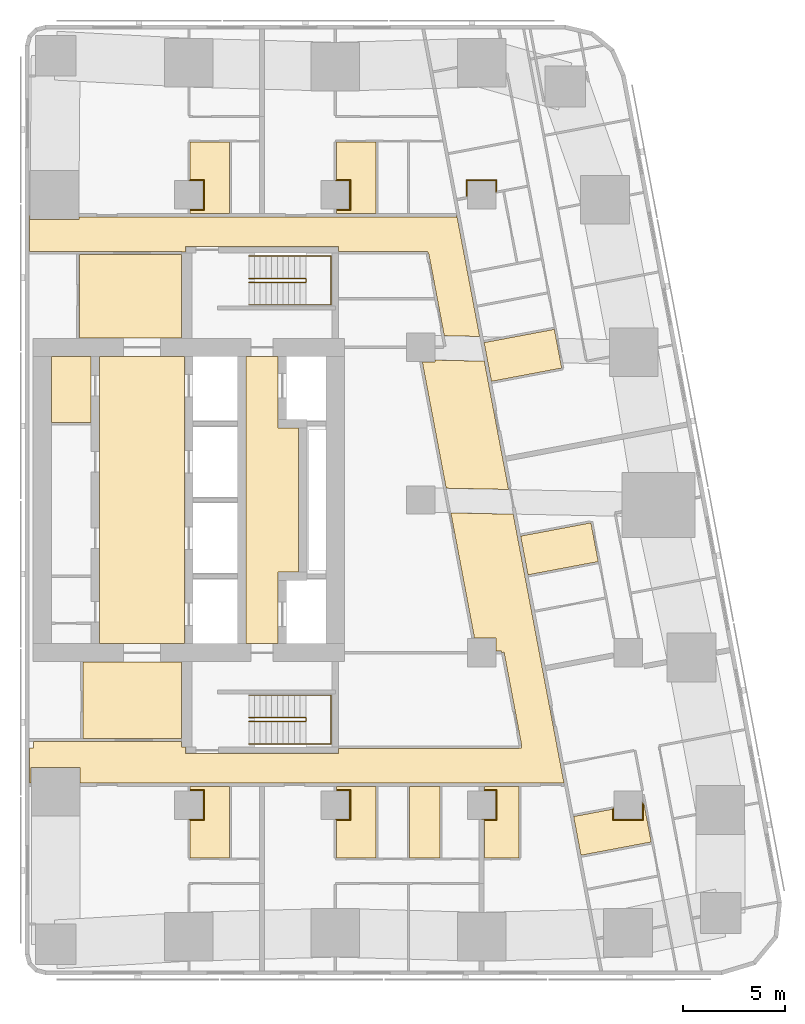
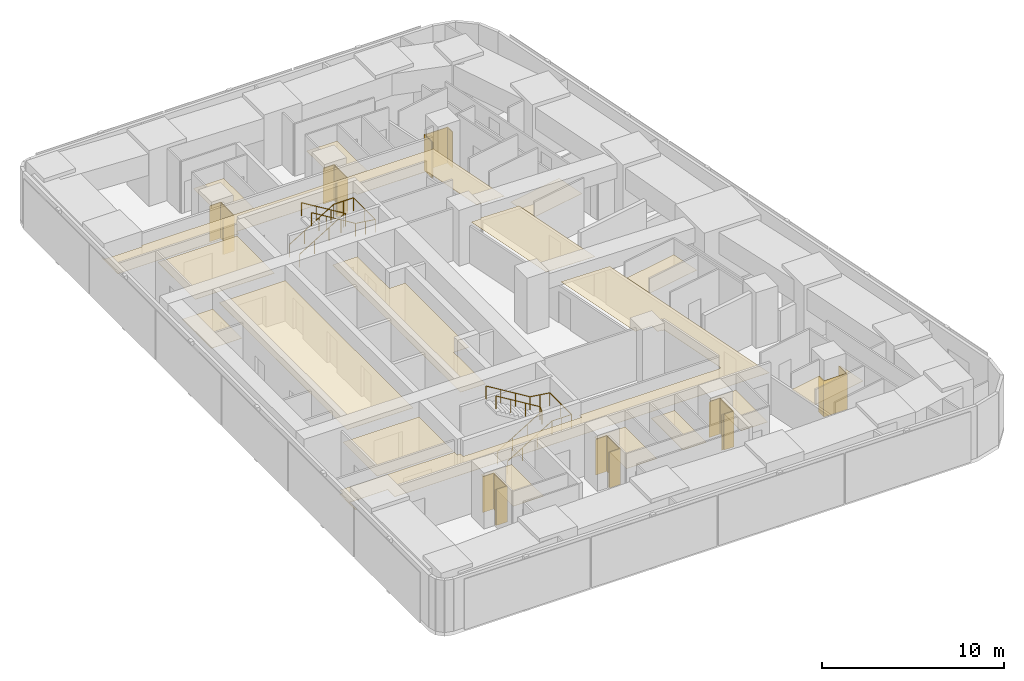
# One storey, part 10 of 10: 24 coverings, 4 railings.
"""IFC4 building model written with IfcOpenShell, lengths in metres."""

import ifcopenshell
import ifcopenshell.guid

model = None  # the IFC model being written
_history = None  # IfcOwnerHistory: only IFC2X3 demands one
_inside = {}  # id of a spatial element -> (the spatial element, [elements in it])
_under = {}  # id of a project, library or spatial element -> (it, [spatial elements below it])
_declared = {}  # id of a project -> (the project, [libraries it declares])
_typed = {}  # id of a type object -> (the type object, [elements of that type])
_made_of = {}  # id of a material, layer set ... -> (it, [elements and type objects made of it])


def new_model(schema):
    """Start an empty IFC model of exactly this schema.

    Asked for "IFC4X3", IfcOpenShell would pick the latest addendum, in which some entities
    have other attributes; the version numbers below select the first issue.
    IFC2X3 requires an IfcOwnerHistory on every rooted entity: one is made here for all.
    """
    global model, _history
    if schema == "IFC4X3":
        model = ifcopenshell.file(schema_version=(4, 3, 0, 0))
    else:
        model = ifcopenshell.file(schema=schema)
    _inside.clear()
    _under.clear()
    _declared.clear()
    _typed.clear()
    _made_of.clear()
    _history = None
    if model.schema == "IFC2X3":
        org = make("IfcOrganization", Name="unknown")
        user = make(
            "IfcPersonAndOrganization",
            ThePerson=make("IfcPerson", FamilyName="unknown"),
            TheOrganization=org,
        )
        app = make(
            "IfcApplication",
            ApplicationDeveloper=org,
            Version="unknown",
            ApplicationFullName="unknown",
            ApplicationIdentifier="unknown",
        )
        _history = make(
            "IfcOwnerHistory",
            OwningUser=user,
            OwningApplication=app,
            ChangeAction="ADDED",
            CreationDate=0,
        )
    return model


def make(cls, **values):
    """One entity of the class cls with the attributes given. An attribute that is None is left unset."""
    return model.create_entity(
        cls, **{name: value for name, value in values.items() if value is not None}
    )


def rooted(cls, **values):
    """An entity with a GlobalId (a new one), such as an element, a storey or a relation."""
    return make(cls, GlobalId=ifcopenshell.guid.new(), OwnerHistory=_history, **values)


def si_unit(unit_type, name, prefix=None):
    """IfcSIUnit, for example si_unit("LENGTHUNIT", "METRE", prefix="MILLI")."""
    return make("IfcSIUnit", UnitType=unit_type, Prefix=prefix, Name=name)


def assignment(units):
    """IfcUnitAssignment: the units of a project."""
    return None if units is None else make("IfcUnitAssignment", Units=units)


def point(xyz):
    """IfcCartesianPoint."""
    return None if xyz is None else make("IfcCartesianPoint", Coordinates=xyz)


def direction(xyz):
    """IfcDirection."""
    return None if xyz is None else make("IfcDirection", DirectionRatios=xyz)


def frame(location, z_axis=None, x_axis=None):
    """IfcAxis2Placement3D, a coordinate frame: its origin and axes. An axis left out is left unset."""
    return make(
        "IfcAxis2Placement3D",
        Location=point(location),
        Axis=direction(z_axis),
        RefDirection=direction(x_axis),
    )


def frame_2d(location, x_axis=None):
    """IfcAxis2Placement2D, a coordinate frame in the plane: its origin and x axis."""
    return make(
        "IfcAxis2Placement2D", Location=point(location), RefDirection=direction(x_axis)
    )


def origin():
    """The frame at (0, 0, 0) with its axes left unset."""
    return frame((0.0, 0.0, 0.0))


def origin_2d():
    """The frame at (0, 0) in the plane with its x axis left unset."""
    return frame_2d((0.0, 0.0))


def place(relative_to, where):
    """IfcLocalPlacement: puts the frame where relative to a parent placement (None: the world)."""
    return make(
        "IfcLocalPlacement", PlacementRelTo=relative_to, RelativePlacement=where
    )


def context(
    kind, dimensions, precision=None, world=None, true_north=None, identifier=None
):
    """IfcGeometricRepresentationContext, for example the 3D "Model" context."""
    return make(
        "IfcGeometricRepresentationContext",
        ContextIdentifier=identifier,
        ContextType=kind,
        CoordinateSpaceDimension=dimensions,
        Precision=precision,
        WorldCoordinateSystem=world,
        TrueNorth=true_north,
    )


def subcontext(parent, identifier, kind, view, scale=None):
    """IfcGeometricRepresentationSubContext, for example "Body" below "Model"."""
    return make(
        "IfcGeometricRepresentationSubContext",
        ContextIdentifier=identifier,
        ContextType=kind,
        ParentContext=parent,
        TargetScale=scale,
        TargetView=view,
    )


def project(units=None, contexts=None):
    """IfcProject with its units and contexts."""
    return rooted(
        "IfcProject",
        Name="project",
        RepresentationContexts=contexts,
        UnitsInContext=assignment(units),
    )


def spatial(cls, under=None, at=None, **own):
    """A site, building, storey or space (cls), placed at a placement, below another one or the project."""
    s = rooted(cls, ObjectPlacement=at, **own)
    if under is not None:
        _under.setdefault(under.id(), (under, []))[1].append(s)
    return s


def polyline(points):
    """IfcPolyline through the points."""
    return make("IfcPolyline", Points=[point(p) for p in points])


def profile(cls, at=None, kind="AREA", **sizes):
    """A parametric profile (cls). Its sizes go by their IFC names, for example OverallWidth=200.0."""
    return make(cls, ProfileType=kind, Position=at, **sizes)


def circle(**sizes):
    """IfcCircleProfileDef."""
    return profile("IfcCircleProfileDef", **sizes)


def outline(outer, holes=None, kind="AREA"):
    """IfcArbitraryClosedProfileDef: a profile drawn as a closed curve; with holes, ...WithVoids."""
    if holes is None:
        return make("IfcArbitraryClosedProfileDef", ProfileType=kind, OuterCurve=outer)
    return make(
        "IfcArbitraryProfileDefWithVoids",
        ProfileType=kind,
        OuterCurve=outer,
        InnerCurves=holes,
    )


def extrude(swept, where, along, depth):
    """IfcExtrudedAreaSolid: the profile swept, set in the frame where, extruded along a direction by depth."""
    return make(
        "IfcExtrudedAreaSolid",
        SweptArea=swept,
        Position=where,
        ExtrudedDirection=direction(along),
        Depth=depth,
    )


def shape(context_of_items, identifier, shape_type, items):
    """IfcShapeRepresentation: the items that make up one representation, for example the "Body"."""
    return make(
        "IfcShapeRepresentation",
        ContextOfItems=context_of_items,
        RepresentationIdentifier=identifier,
        RepresentationType=shape_type,
        Items=items,
    )


def material(Name=None, Category=None):
    """IfcMaterial."""
    return make("IfcMaterial", Name=Name, Category=Category)


def layer(
    of_material, thickness, ventilated=None, Name=None, Category=None, Priority=None
):
    """IfcMaterialLayer: one layer of a wall or slab, of a material (None: an air gap)."""
    return make(
        "IfcMaterialLayer",
        Material=of_material,
        LayerThickness=thickness,
        IsVentilated=ventilated,
        Name=Name,
        Category=Category,
        Priority=Priority,
    )


def layer_set(layers, Name=None):
    """IfcMaterialLayerSet."""
    return make("IfcMaterialLayerSet", MaterialLayers=layers, LayerSetName=Name)


def made_of(thing, what):
    """Note that an element or type object is made of a material, layer set ...; save() writes the relation."""
    if what is not None:
        _made_of.setdefault(what.id(), (what, []))[1].append(thing)
    return thing


def type_object(cls, material=None, **own):
    """A type object (cls), such as IfcWallType, which elements share."""
    return made_of(rooted(cls, **own), material)


def element(
    cls,
    number,
    at=None,
    inside=None,
    cuts=None,
    type_object=None,
    material=None,
    context=None,
    identifier="Body",
    shape_type=None,
    held_by="IfcProductDefinitionShape",
    body=None,
    shapes=None,
    **own,
):
    """One element of the class cls, such as IfcWall. Its Tag is "e" and its number.

    at: its placement. inside: the storey or other place that contains it. cuts: it is an
    opening in that element (IfcRelVoidsElement). A single representation is given by context,
    identifier, shape_type and body (its items); several are given by shapes. held_by: the class
    of the entity that holds the representations. save() writes the other relations.
    """
    e = rooted(cls, Tag="e%d" % number, ObjectPlacement=at, **own)
    if body is not None:
        shapes = [shape(context, identifier, shape_type, body)]
    if shapes is not None:
        e.Representation = make(held_by, Representations=shapes)
    if inside is not None:
        _inside.setdefault(inside.id(), (inside, []))[1].append(e)
    if cuts is not None:
        rooted(
            "IfcRelVoidsElement", RelatingBuildingElement=cuts, RelatedOpeningElement=e
        )
    if type_object is not None:
        _typed.setdefault(type_object.id(), (type_object, []))[1].append(e)
    return made_of(e, material)


def aggregate(whole, parts):
    """IfcRelAggregates: a whole, such as a stair, and the parts it consists of."""
    return rooted("IfcRelAggregates", RelatingObject=whole, RelatedObjects=parts)


def save(model, path):
    """Write the relations noted so far, then the file.

    IfcRelAggregates (storeys below a building ...), IfcRelContainedInSpatialStructure (elements
    in a storey), IfcRelDefinesByType, IfcRelAssociatesMaterial and IfcRelDeclares: one each for
    every whole, place, type object, material and project.
    """
    for whole, parts in _under.values():
        aggregate(whole, parts)
    for where, things in _inside.values():
        rooted(
            "IfcRelContainedInSpatialStructure",
            RelatedElements=things,
            RelatingStructure=where,
        )
    for kind, things in _typed.values():
        rooted("IfcRelDefinesByType", RelatedObjects=things, RelatingType=kind)
    for what, things in _made_of.values():
        rooted("IfcRelAssociatesMaterial", RelatedObjects=things, RelatingMaterial=what)
    for by, libraries in _declared.values():
        rooted("IfcRelDeclares", RelatingContext=by, RelatedDefinitions=libraries)
    model.write(path)


model = new_model("IFC4")

# Units and contexts
model_context = context("Model", 3, precision=1e-05, world=origin(), true_north=direction((0.0, 1.0)))
body_context = subcontext(model_context, "Body", "Model", "MODEL_VIEW")
ifc_project = project(units=[si_unit("LENGTHUNIT", "METRE"), si_unit("AREAUNIT", "SQUARE_METRE"), si_unit("VOLUMEUNIT", "CUBIC_METRE"), si_unit("PLANEANGLEUNIT", "RADIAN"), si_unit("MASSUNIT", "GRAM", prefix="KILO")], contexts=[model_context])

# Site, building, storey
site_placement = place(None, origin())
site = spatial("IfcSite", under=ifc_project, at=site_placement, CompositionType="ELEMENT")
building_placement = place(site_placement, origin())
building = spatial("IfcBuilding", under=site, at=building_placement, Name="Sheger Commons Tower", CompositionType="ELEMENT")
storey_placement = place(building_placement, frame((0.0, 0.0, 227.449951171875)))
storey = spatial("IfcBuildingStorey", under=building, at=storey_placement, Name="L58", CompositionType="ELEMENT", Elevation=227.449951171875)

# Railings
ifc_material_1 = material(Name="Steel handrail, black powder-coated", Category="steel")
railing_type = type_object("IfcRailingType", Name="HANDRAIL 900", PredefinedType="HANDRAIL", material=ifc_material_1)
railing_1_placement = place(storey_placement, frame((24.550048828125, 11.60009765625, 0.17041015625)))
element("IfcRailing", 1, at=railing_1_placement, inside=storey, type_object=railing_type, Name="Stair S1 handrail L58", PredefinedType="HANDRAIL", context=body_context, shape_type="SweptSolid", body=[
    extrude(circle(Radius=0.02392578125, at=origin_2d()), frame((0.0, 0.0, 0.8759765625), z_axis=(0.854169791009, 0.0, 0.51999420009), x_axis=(0.0, 1.0, 0.0)), (0.0, 0.0, 1.0), 3.278076171875),
    extrude(circle(Radius=0.02392578125, at=origin_2d()), frame((2.800048828125, 0.0, 2.58056640625), z_axis=(0.0, 0.761090297175, 0.648645943136), x_axis=(-1.0, 0.0, 0.0)), (0.0, 0.0, 1.0), 0.2626953125),
    extrude(circle(Radius=0.02392578125, at=origin_2d()), frame((2.800048828125, 0.199951171875, 2.7509765625), z_axis=(-0.854169791009, 0.0, 0.51999420009), x_axis=(0.0, -1.0, 0.0)), (0.0, 0.0, 1.0), 3.278076171875),
    extrude(circle(Radius=0.02099609375, at=origin_2d()), origin(), (0.0, 0.0, 1.0), 0.851806640625),
    extrude(circle(Radius=0.02099609375, at=origin_2d()), frame((0.933349609375, 0.0, 0.568115234375)), (0.0, 0.0, 1.0), 0.851806640625),
    extrude(circle(Radius=0.02099609375, at=origin_2d()), frame((1.86669921875, 0.0, 1.136474609375)), (0.0, 0.0, 1.0), 0.851806640625),
    extrude(circle(Radius=0.02099609375, at=origin_2d()), frame((2.800048828125, 0.0, 1.70458984375)), (0.0, 0.0, 1.0), 0.851806640625),
    extrude(circle(Radius=0.02099609375, at=origin_2d()), frame((2.800048828125, 0.199951171875, 1.875)), (0.0, 0.0, 1.0), 0.851806640625),
    extrude(circle(Radius=0.02099609375, at=origin_2d()), frame((1.86669921875, 0.199951171875, 2.443115234375)), (0.0, 0.0, 1.0), 0.851806640625),
    extrude(circle(Radius=0.02099609375, at=origin_2d()), frame((0.933349609375, 0.199951171875, 3.011474609375)), (0.0, 0.0, 1.0), 0.851806640625),
    extrude(circle(Radius=0.02099609375, at=origin_2d()), frame((0.0, 0.199951171875, 3.57958984375)), (0.0, 0.0, 1.0), 0.851806640625),
])
railing_2_placement = place(storey_placement, frame((24.550048828125, 10.5, 0.17041015625)))
element("IfcRailing", 2, at=railing_2_placement, inside=storey, type_object=railing_type, Name="Stair S1 handrail L58", PredefinedType="HANDRAIL", context=body_context, shape_type="SweptSolid", body=[
    extrude(circle(Radius=0.02392578125, at=origin_2d()), frame((0.0, 0.0, 0.8759765625), z_axis=(0.854169791009, 0.0, 0.51999420009), x_axis=(0.0, 1.0, 0.0)), (0.0, 0.0, 1.0), 3.278076171875),
    extrude(circle(Radius=0.02392578125, at=origin_2d()), frame((2.800048828125, 0.0, 2.58056640625), z_axis=(1.0, 0.0, 0.0), x_axis=(0.0, 1.0, 0.0)), (0.0, 0.0, 1.0), 1.25),
    extrude(circle(Radius=0.02392578125, at=origin_2d()), frame((4.050048828125, 0.0, 2.58056640625), z_axis=(0.0, 1.0, 0.0), x_axis=(-1.0, 0.0, 0.0)), (0.0, 0.0, 1.0), 2.39990234375),
    extrude(circle(Radius=0.02392578125, at=origin_2d()), frame((4.050048828125, 2.39990234375, 2.58056640625), z_axis=(-0.990834877927, 0.0, 0.135078661092), x_axis=(0.0, -1.0, 0.0)), (0.0, 0.0, 1.0), 1.261474609375),
    extrude(circle(Radius=0.02392578125, at=origin_2d()), frame((2.800048828125, 2.39990234375, 2.7509765625), z_axis=(-0.854169791009, 0.0, 0.51999420009), x_axis=(0.0, -1.0, 0.0)), (0.0, 0.0, 1.0), 3.278076171875),
    extrude(circle(Radius=0.02099609375, at=origin_2d()), origin(), (0.0, 0.0, 1.0), 0.851806640625),
    extrude(circle(Radius=0.02099609375, at=origin_2d()), frame((0.933349609375, 0.0, 0.568115234375)), (0.0, 0.0, 1.0), 0.851806640625),
    extrude(circle(Radius=0.02099609375, at=origin_2d()), frame((1.86669921875, 0.0, 1.136474609375)), (0.0, 0.0, 1.0), 0.851806640625),
    extrude(circle(Radius=0.02099609375, at=origin_2d()), frame((2.800048828125, 0.0, 1.70458984375)), (0.0, 0.0, 1.0), 0.851806640625),
    extrude(circle(Radius=0.02099609375, at=origin_2d()), frame((3.425048828125, 0.0, 1.70458984375)), (0.0, 0.0, 1.0), 0.851806640625),
    extrude(circle(Radius=0.02099609375, at=origin_2d()), frame((4.050048828125, 0.0, 1.70458984375)), (0.0, 0.0, 1.0), 0.851806640625),
    extrude(circle(Radius=0.02099609375, at=origin_2d()), frame((4.050048828125, 1.199951171875, 1.70458984375)), (0.0, 0.0, 1.0), 0.851806640625),
    extrude(circle(Radius=0.02099609375, at=origin_2d()), frame((4.050048828125, 2.39990234375, 1.70458984375)), (0.0, 0.0, 1.0), 0.851806640625),
    extrude(circle(Radius=0.02099609375, at=origin_2d()), frame((3.425048828125, 2.39990234375, 1.789794921875)), (0.0, 0.0, 1.0), 0.851806640625),
    extrude(circle(Radius=0.02099609375, at=origin_2d()), frame((2.800048828125, 2.39990234375, 1.875)), (0.0, 0.0, 1.0), 0.851806640625),
    extrude(circle(Radius=0.02099609375, at=origin_2d()), frame((1.86669921875, 2.39990234375, 2.443115234375)), (0.0, 0.0, 1.0), 0.851806640625),
    extrude(circle(Radius=0.02099609375, at=origin_2d()), frame((0.933349609375, 2.39990234375, 3.011474609375)), (0.0, 0.0, 1.0), 0.851806640625),
    extrude(circle(Radius=0.02099609375, at=origin_2d()), frame((0.0, 2.39990234375, 3.57958984375)), (0.0, 0.0, 1.0), 0.851806640625),
])
railing_3_placement = place(storey_placement, frame((24.550048828125, 33.39990234375, 0.17041015625)))
element("IfcRailing", 3, at=railing_3_placement, inside=storey, type_object=railing_type, Name="Stair S2 handrail L58", PredefinedType="HANDRAIL", context=body_context, shape_type="SweptSolid", body=[
    extrude(circle(Radius=0.02392578125, at=origin_2d()), frame((0.0, 0.0, 0.8759765625), z_axis=(0.854169791009, 0.0, 0.51999420009), x_axis=(0.0, 1.0, 0.0)), (0.0, 0.0, 1.0), 3.278076171875),
    extrude(circle(Radius=0.02392578125, at=origin_2d()), frame((2.800048828125, 0.0, 2.58056640625), z_axis=(0.0, -0.761090297175, 0.648645943136), x_axis=(1.0, 0.0, 0.0)), (0.0, 0.0, 1.0), 0.2626953125),
    extrude(circle(Radius=0.02392578125, at=origin_2d()), frame((2.800048828125, -0.199951171875, 2.7509765625), z_axis=(-0.854169791009, 0.0, 0.51999420009), x_axis=(0.0, -1.0, 0.0)), (0.0, 0.0, 1.0), 3.278076171875),
    extrude(circle(Radius=0.02099609375, at=origin_2d()), origin(), (0.0, 0.0, 1.0), 0.851806640625),
    extrude(circle(Radius=0.02099609375, at=origin_2d()), frame((0.933349609375, 0.0, 0.568115234375)), (0.0, 0.0, 1.0), 0.851806640625),
    extrude(circle(Radius=0.02099609375, at=origin_2d()), frame((1.86669921875, 0.0, 1.136474609375)), (0.0, 0.0, 1.0), 0.851806640625),
    extrude(circle(Radius=0.02099609375, at=origin_2d()), frame((2.800048828125, 0.0, 1.70458984375)), (0.0, 0.0, 1.0), 0.851806640625),
    extrude(circle(Radius=0.02099609375, at=origin_2d()), frame((2.800048828125, -0.199951171875, 1.875)), (0.0, 0.0, 1.0), 0.851806640625),
    extrude(circle(Radius=0.02099609375, at=origin_2d()), frame((1.86669921875, -0.199951171875, 2.443115234375)), (0.0, 0.0, 1.0), 0.851806640625),
    extrude(circle(Radius=0.02099609375, at=origin_2d()), frame((0.933349609375, -0.199951171875, 3.011474609375)), (0.0, 0.0, 1.0), 0.851806640625),
    extrude(circle(Radius=0.02099609375, at=origin_2d()), frame((0.0, -0.199951171875, 3.57958984375)), (0.0, 0.0, 1.0), 0.851806640625),
])
railing_4_placement = place(storey_placement, frame((24.550048828125, 34.5, 0.17041015625)))
element("IfcRailing", 4, at=railing_4_placement, inside=storey, type_object=railing_type, Name="Stair S2 handrail L58", PredefinedType="HANDRAIL", context=body_context, shape_type="SweptSolid", body=[
    extrude(circle(Radius=0.02392578125, at=origin_2d()), frame((0.0, 0.0, 0.8759765625), z_axis=(0.854169791009, 0.0, 0.51999420009), x_axis=(0.0, 1.0, 0.0)), (0.0, 0.0, 1.0), 3.278076171875),
    extrude(circle(Radius=0.02392578125, at=origin_2d()), frame((2.800048828125, 0.0, 2.58056640625), z_axis=(1.0, 0.0, 0.0), x_axis=(0.0, 1.0, 0.0)), (0.0, 0.0, 1.0), 1.25),
    extrude(circle(Radius=0.02392578125, at=origin_2d()), frame((4.050048828125, 0.0, 2.58056640625), z_axis=(0.0, -1.0, 0.0), x_axis=(1.0, 0.0, 0.0)), (0.0, 0.0, 1.0), 2.39990234375),
    extrude(circle(Radius=0.02392578125, at=origin_2d()), frame((4.050048828125, -2.39990234375, 2.58056640625), z_axis=(-0.990834877927, 0.0, 0.135078661092), x_axis=(0.0, -1.0, 0.0)), (0.0, 0.0, 1.0), 1.261474609375),
    extrude(circle(Radius=0.02392578125, at=origin_2d()), frame((2.800048828125, -2.39990234375, 2.7509765625), z_axis=(-0.854169791009, 0.0, 0.51999420009), x_axis=(0.0, -1.0, 0.0)), (0.0, 0.0, 1.0), 3.278076171875),
    extrude(circle(Radius=0.02099609375, at=origin_2d()), origin(), (0.0, 0.0, 1.0), 0.851806640625),
    extrude(circle(Radius=0.02099609375, at=origin_2d()), frame((0.933349609375, 0.0, 0.568115234375)), (0.0, 0.0, 1.0), 0.851806640625),
    extrude(circle(Radius=0.02099609375, at=origin_2d()), frame((1.86669921875, 0.0, 1.136474609375)), (0.0, 0.0, 1.0), 0.851806640625),
    extrude(circle(Radius=0.02099609375, at=origin_2d()), frame((2.800048828125, 0.0, 1.70458984375)), (0.0, 0.0, 1.0), 0.851806640625),
    extrude(circle(Radius=0.02099609375, at=origin_2d()), frame((3.425048828125, 0.0, 1.70458984375)), (0.0, 0.0, 1.0), 0.851806640625),
    extrude(circle(Radius=0.02099609375, at=origin_2d()), frame((4.050048828125, 0.0, 1.70458984375)), (0.0, 0.0, 1.0), 0.851806640625),
    extrude(circle(Radius=0.02099609375, at=origin_2d()), frame((4.050048828125, -1.199951171875, 1.70458984375)), (0.0, 0.0, 1.0), 0.851806640625),
    extrude(circle(Radius=0.02099609375, at=origin_2d()), frame((4.050048828125, -2.39990234375, 1.70458984375)), (0.0, 0.0, 1.0), 0.851806640625),
    extrude(circle(Radius=0.02099609375, at=origin_2d()), frame((3.425048828125, -2.39990234375, 1.789794921875)), (0.0, 0.0, 1.0), 0.851806640625),
    extrude(circle(Radius=0.02099609375, at=origin_2d()), frame((2.800048828125, -2.39990234375, 1.875)), (0.0, 0.0, 1.0), 0.851806640625),
    extrude(circle(Radius=0.02099609375, at=origin_2d()), frame((1.86669921875, -2.39990234375, 2.443115234375)), (0.0, 0.0, 1.0), 0.851806640625),
    extrude(circle(Radius=0.02099609375, at=origin_2d()), frame((0.933349609375, -2.39990234375, 3.011474609375)), (0.0, 0.0, 1.0), 0.851806640625),
    extrude(circle(Radius=0.02099609375, at=origin_2d()), frame((0.0, -2.39990234375, 3.57958984375)), (0.0, 0.0, 1.0), 0.851806640625),
])

# Coverings
ifc_material_2 = material(Name="Moisture-resistant gypsum plasterboard 15 mm on a suspended galvanised steel grid", Category="steel")
ifc_layer_1 = layer(ifc_material_2, 0.014892578125)
ifc_layer_set_1 = layer_set([ifc_layer_1], Name="MOISTURE-RESISTANT CEILING 15")
covering_type_1 = type_object("IfcCoveringType", Name="MOISTURE-RESISTANT CEILING 15", PredefinedType="CEILING", material=ifc_layer_set_1)
covering_1_placement = place(storey_placement, frame((0.0, 0.0, 2.400146484375)))
element("IfcCovering", 5, at=covering_1_placement, inside=storey, type_object=covering_type_1, Name="L58-01.B1 ceiling", PredefinedType="CEILING", context=body_context, shape_type="SweptSolid", body=[
    extrude(outline(polyline([(21.655029296875, 4.905029296875), (23.594970703125, 4.905029296875), (23.594970703125, 8.419921875), (21.655029296875, 8.419921875), (21.655029296875, 8.205078125), (22.304931640625, 8.205078125), (22.304931640625, 6.794921875), (21.655029296875, 6.794921875), (21.655029296875, 4.905029296875)])), origin(), (0.0, 0.0, 1.0), 0.014892578125),
])
covering_2_placement = place(storey_placement, frame((0.0, 0.0, 2.400146484375)))
element("IfcCovering", 6, at=covering_2_placement, inside=storey, type_object=covering_type_1, Name="L58-02.B1 ceiling", PredefinedType="CEILING", context=body_context, shape_type="SweptSolid", body=[
    extrude(outline(polyline([(28.85498046875, 4.905029296875), (30.794921875, 4.905029296875), (30.794921875, 8.419921875), (28.85498046875, 8.419921875), (28.85498046875, 8.205078125), (29.5048828125, 8.205078125), (29.5048828125, 6.794921875), (28.85498046875, 6.794921875), (28.85498046875, 4.905029296875)])), origin(), (0.0, 0.0, 1.0), 0.014892578125),
])
covering_3_placement = place(storey_placement, frame((0.0, 0.0, 2.400146484375)))
element("IfcCovering", 7, at=covering_3_placement, inside=storey, type_object=covering_type_1, Name="L58-02.B2 ceiling", PredefinedType="CEILING", context=body_context, shape_type="SweptSolid", body=[
    extrude(outline(polyline([(32.455078125, 4.905029296875), (33.945068359375, 4.905029296875), (33.945068359375, 8.419921875), (32.455078125, 8.419921875), (32.455078125, 4.905029296875)])), origin(), (0.0, 0.0, 1.0), 0.014892578125),
])
covering_4_placement = place(storey_placement, frame((0.0, 0.0, 2.400146484375)))
element("IfcCovering", 8, at=covering_4_placement, inside=storey, type_object=covering_type_1, Name="L58-03.B1 ceiling", PredefinedType="CEILING", context=body_context, shape_type="SweptSolid", body=[
    extrude(outline(polyline([(36.1298828125, 4.905029296875), (37.8349609375, 4.905029296875), (37.8349609375, 8.419921875), (36.1298828125, 8.419921875), (36.1298828125, 8.205078125), (36.705078125, 8.205078125), (36.705078125, 6.794921875), (36.1298828125, 6.794921875), (36.1298828125, 4.905029296875)])), origin(), (0.0, 0.0, 1.0), 0.014892578125),
])
covering_5_placement = place(storey_placement, frame((0.0, 0.0, 2.400146484375)))
element("IfcCovering", 9, at=covering_5_placement, inside=storey, type_object=covering_type_1, Name="L58-04.B1 ceiling", PredefinedType="CEILING", context=body_context, shape_type="SweptSolid", body=[
    extrude(outline(polyline([(36.47900390625, 28.3330078125), (39.93310546875, 28.986083984375), (39.572998046875, 30.89208984375), (36.118896484375, 30.239013671875), (36.47900390625, 28.3330078125)])), origin(), (0.0, 0.0, 1.0), 0.014892578125),
])
covering_6_placement = place(storey_placement, frame((0.0, 0.0, 2.400146484375)))
element("IfcCovering", 10, at=covering_6_placement, inside=storey, type_object=covering_type_1, Name="L58-05.B1 ceiling", PredefinedType="CEILING", context=body_context, shape_type="SweptSolid", body=[
    extrude(outline(polyline([(38.27587890625, 18.819091796875), (41.72998046875, 19.470947265625), (41.3701171875, 21.3779296875), (37.916015625, 20.72607421875), (38.27587890625, 18.819091796875)])), origin(), (0.0, 0.0, 1.0), 0.014892578125),
])
covering_7_placement = place(storey_placement, frame((0.0, 0.0, 2.400146484375)))
element("IfcCovering", 11, at=covering_7_placement, inside=storey, type_object=covering_type_1, Name="L58-06.B1 ceiling", PredefinedType="CEILING", context=body_context, shape_type="SweptSolid", body=[
    extrude(outline(polyline([(40.8798828125, 5.031982421875), (44.333984375, 5.68408203125), (43.97412109375, 7.591064453125), (43.9150390625, 7.580078125), (43.906982421875, 7.623046875), (43.905029296875, 7.623046875), (43.905029296875, 6.794921875), (42.4951171875, 6.794921875), (42.4951171875, 7.31103515625), (40.52001953125, 6.93798828125), (40.8798828125, 5.031982421875)])), origin(), (0.0, 0.0, 1.0), 0.014892578125),
])
covering_8_placement = place(storey_placement, frame((0.0, 0.0, 2.400146484375)))
element("IfcCovering", 12, at=covering_8_placement, inside=storey, type_object=covering_type_1, Name="L58-07.B1 ceiling", PredefinedType="CEILING", context=body_context, shape_type="SweptSolid", body=[
    extrude(outline(polyline([(21.655029296875, 36.580078125), (23.594970703125, 36.580078125), (23.594970703125, 40.094970703125), (21.655029296875, 40.094970703125), (21.655029296875, 38.205078125), (22.304931640625, 38.205078125), (22.304931640625, 36.794921875), (21.655029296875, 36.794921875), (21.655029296875, 36.580078125)])), origin(), (0.0, 0.0, 1.0), 0.014892578125),
])
covering_9_placement = place(storey_placement, frame((0.0, 0.0, 2.400146484375)))
element("IfcCovering", 13, at=covering_9_placement, inside=storey, type_object=covering_type_1, Name="L58-08.B1 ceiling", PredefinedType="CEILING", context=body_context, shape_type="SweptSolid", body=[
    extrude(outline(polyline([(28.85498046875, 36.580078125), (30.794921875, 36.580078125), (30.794921875, 40.094970703125), (28.85498046875, 40.094970703125), (28.85498046875, 38.205078125), (29.5048828125, 38.205078125), (29.5048828125, 36.794921875), (28.85498046875, 36.794921875), (28.85498046875, 36.580078125)])), origin(), (0.0, 0.0, 1.0), 0.014892578125),
])
covering_10_placement = place(storey_placement, frame((0.0, 0.0, 2.400146484375)))
element("IfcCovering", 14, at=covering_10_placement, inside=storey, type_object=covering_type_1, Name="L58-CRB3 ceiling", PredefinedType="CEILING", context=body_context, shape_type="SweptSolid", body=[
    extrude(outline(polyline([(14.85498046875, 26.31689453125), (16.794921875, 26.31689453125), (16.794921875, 29.544921875), (14.85498046875, 29.544921875), (14.85498046875, 26.31689453125)])), origin(), (0.0, 0.0, 1.0), 0.014892578125),
])
ifc_material_3 = material(Name="Gypsum plasterboard 15 mm on a suspended steel grid", Category="steel")
ifc_layer_2 = layer(ifc_material_3, 0.014892578125)
ifc_layer_set_2 = layer_set([ifc_layer_2], Name="SUSPENDED CEILING 15")
covering_type_2 = type_object("IfcCoveringType", Name="SUSPENDED CEILING 15", PredefinedType="CEILING", material=ifc_layer_set_2)
covering_11_placement = place(storey_placement, frame((0.0, 0.0, 2.699951171875)))
element("IfcCovering", 15, at=covering_11_placement, inside=storey, type_object=covering_type_2, Name="L58-CO ceiling", PredefinedType="CEILING", context=body_context, shape_type="SweptSolid", body=[
    extrude(outline(polyline([(13.7548828125, 8.580078125), (13.84912109375, 8.580078125), (13.84912109375, 9.35888671875), (16.259033203125, 9.35888671875), (16.259033203125, 8.580078125), (40.047119140625, 8.580078125), (37.550048828125, 21.802978515625), (34.48291015625, 21.864990234375), (35.64306640625, 15.720947265625), (35.60595703125, 15.714111328125), (35.60791015625, 15.705078125), (36.705078125, 15.705078125), (36.705078125, 15.068115234375), (36.97802734375, 15.068115234375), (36.97802734375, 14.9951171875), (37.09912109375, 15.01708984375), (37.967041015625, 10.4208984375), (37.949951171875, 10.4169921875), (37.971923828125, 10.300048828125), (37.841064453125, 10.300048828125), (37.841064453125, 10.281982421875), (28.955078125, 10.281982421875), (28.955078125, 10.044921875), (21.445068359375, 10.044921875), (21.445068359375, 10.344970703125), (21.2451171875, 10.344970703125), (21.2451171875, 10.632080078125), (13.9599609375, 10.632080078125), (13.9599609375, 10.300048828125), (13.7548828125, 10.300048828125), (13.7548828125, 8.580078125)])), origin(), (0.0, 0.0, 1.0), 0.01513671875),
])
covering_12_placement = place(storey_placement, frame((0.0, 0.0, 2.699951171875)))
element("IfcCovering", 16, at=covering_12_placement, inside=storey, type_object=covering_type_2, Name="L58-CO ceiling", PredefinedType="CEILING", context=body_context, shape_type="SweptSolid", body=[
    extrude(outline(polyline([(37.321044921875, 23.01806640625), (36.12890625, 29.323974609375), (33.705078125, 29.37890625), (33.705078125, 29.294921875), (33.0791015625, 29.294921875), (34.2529296875, 23.080078125), (37.321044921875, 23.01806640625)])), origin(), (0.0, 0.0, 1.0), 0.01513671875),
])
covering_13_placement = place(storey_placement, frame((0.0, 0.0, 2.699951171875)))
element("IfcCovering", 17, at=covering_13_placement, inside=storey, type_object=covering_type_2, Name="L58-CO ceiling", PredefinedType="CEILING", context=body_context, shape_type="SweptSolid", body=[
    extrude(outline(polyline([(35.89990234375, 30.5400390625), (34.77392578125, 36.5), (34.77001953125, 36.5), (34.77001953125, 36.419921875), (16.205078125, 36.419921875), (16.205078125, 36.294921875), (13.794921875, 36.294921875), (13.794921875, 36.5), (13.7548828125, 36.5), (13.7548828125, 34.718017578125), (21.2548828125, 34.718017578125), (21.2548828125, 34.699951171875), (21.445068359375, 34.699951171875), (21.445068359375, 34.955078125), (28.955078125, 34.955078125), (28.955078125, 34.718017578125), (33.3359375, 34.718017578125), (33.3359375, 34.699951171875), (33.363037109375, 34.699951171875), (33.381103515625, 34.60205078125), (33.39892578125, 34.60498046875), (34.159912109375, 30.5791015625), (35.89990234375, 30.5400390625)])), origin(), (0.0, 0.0, 1.0), 0.01513671875),
])
covering_14_placement = place(storey_placement, frame((0.0, 0.0, 2.699951171875)))
element("IfcCovering", 18, at=covering_14_placement, inside=storey, type_object=covering_type_2, Name="L58-SVS1 ceiling", PredefinedType="CEILING", context=body_context, shape_type="SweptSolid", body=[
    extrude(outline(polyline([(16.406982421875, 10.76806640625), (21.2451171875, 10.76806640625), (21.2451171875, 14.544921875), (16.406982421875, 14.544921875), (16.406982421875, 10.76806640625)])), origin(), (0.0, 0.0, 1.0), 0.01513671875),
])
covering_15_placement = place(storey_placement, frame((0.0, 0.0, 2.699951171875)))
element("IfcCovering", 19, at=covering_15_placement, inside=storey, type_object=covering_type_2, Name="L58-SVN1 ceiling", PredefinedType="CEILING", context=body_context, shape_type="SweptSolid", body=[
    extrude(outline(polyline([(16.217041015625, 30.455078125), (21.2451171875, 30.455078125), (21.2451171875, 34.58203125), (16.217041015625, 34.58203125), (16.217041015625, 30.455078125)])), origin(), (0.0, 0.0, 1.0), 0.01513671875),
])
covering_16_placement = place(storey_placement, frame((0.0, 0.0, 2.699951171875)))
element("IfcCovering", 20, at=covering_16_placement, inside=storey, type_object=covering_type_2, Name="L58-LL ceiling", PredefinedType="CEILING", context=body_context, shape_type="SweptSolid", body=[
    extrude(outline(polyline([(17.205078125, 15.455078125), (21.39990234375, 15.455078125), (21.39990234375, 29.544921875), (17.205078125, 29.544921875), (17.205078125, 15.455078125)])), origin(), (0.0, 0.0, 1.0), 0.01513671875),
])
covering_17_placement = place(storey_placement, frame((0.0, 0.0, 2.699951171875)))
element("IfcCovering", 21, at=covering_17_placement, inside=storey, type_object=covering_type_2, Name="L58-FL ceiling", PredefinedType="CEILING", context=body_context, shape_type="SweptSolid", body=[
    extrude(outline(polyline([(24.405029296875, 15.455078125), (25.9951171875, 15.455078125), (25.9951171875, 18.955078125), (26.9951171875, 18.955078125), (26.9951171875, 26.044921875), (25.9951171875, 26.044921875), (25.9951171875, 29.544921875), (24.405029296875, 29.544921875), (24.405029296875, 15.455078125)])), origin(), (0.0, 0.0, 1.0), 0.01513671875),
])
ifc_material_4 = material(Name="Moisture-resistant gypsum board 12.5 mm on 25 mm treated timber battens, tanked and tiled", Category="wood")
ifc_layer_3 = layer(ifc_material_4, 0.050048828125)
ifc_layer_set_3 = layer_set([ifc_layer_3], Name="WET-ROOM COLUMN LINING")
covering_type_3 = type_object("IfcCoveringType", Name="WET-ROOM COLUMN LINING", PredefinedType="CLADDING", material=ifc_layer_set_3)
covering_18_placement = place(storey_placement, origin())
element("IfcCovering", 22, at=covering_18_placement, inside=storey, type_object=covering_type_3, Name="Bathroom column lining C11 L58", PredefinedType="CLADDING", context=body_context, shape_type="SweptSolid", body=[
    extrude(outline(polyline([(22.35009765625, 6.75), (21.64990234375, 6.75), (21.64990234375, 6.799072265625), (21.60009765625, 6.799072265625), (21.60009765625, 6.800048828125), (22.300048828125, 6.800048828125), (22.300048828125, 8.199951171875), (21.60009765625, 8.199951171875), (21.60009765625, 8.200927734375), (21.64990234375, 8.200927734375), (21.64990234375, 8.25), (22.35009765625, 8.25), (22.35009765625, 6.75)])), origin(), (0.0, 0.0, 1.0), 2.400146484375),
])
covering_19_placement = place(storey_placement, origin())
element("IfcCovering", 23, at=covering_19_placement, inside=storey, type_object=covering_type_3, Name="Bathroom column lining C11 L58", PredefinedType="CLADDING", context=body_context, shape_type="SweptSolid", body=[
    extrude(outline(polyline([(29.550048828125, 6.75), (28.85009765625, 6.75), (28.85009765625, 6.799072265625), (28.800048828125, 6.799072265625), (28.800048828125, 6.800048828125), (29.5, 6.800048828125), (29.5, 8.199951171875), (28.800048828125, 8.199951171875), (28.800048828125, 8.200927734375), (28.85009765625, 8.200927734375), (28.85009765625, 8.25), (29.550048828125, 8.25), (29.550048828125, 6.75)])), origin(), (0.0, 0.0, 1.0), 2.400146484375),
])
covering_20_placement = place(storey_placement, origin())
element("IfcCovering", 24, at=covering_20_placement, inside=storey, type_object=covering_type_3, Name="Shower room column lining C11 L58", PredefinedType="CLADDING", context=body_context, shape_type="SweptSolid", body=[
    extrude(outline(polyline([(36.75, 6.75), (36.125, 6.75), (36.125, 6.799072265625), (36.0, 6.799072265625), (36.0, 6.800048828125), (36.699951171875, 6.800048828125), (36.699951171875, 8.199951171875), (36.0, 8.199951171875), (36.0, 8.200927734375), (36.125, 8.200927734375), (36.125, 8.25), (36.75, 8.25), (36.75, 6.75)])), origin(), (0.0, 0.0, 1.0), 2.400146484375),
])
covering_21_placement = place(storey_placement, origin())
element("IfcCovering", 25, at=covering_21_placement, inside=storey, type_object=covering_type_3, Name="Bathroom column lining C11 L58", PredefinedType="CLADDING", context=body_context, shape_type="SweptSolid", body=[
    extrude(outline(polyline([(42.5, 7.367919921875), (42.5, 6.800048828125), (43.89990234375, 6.800048828125), (43.89990234375, 7.633056640625), (43.909912109375, 7.635009765625), (43.9189453125, 7.5859375), (43.949951171875, 7.592041015625), (43.949951171875, 6.75), (42.449951171875, 6.75), (42.449951171875, 7.30810546875), (42.4990234375, 7.31689453125), (42.489990234375, 7.365966796875), (42.5, 7.367919921875)])), origin(), (0.0, 0.0, 1.0), 2.400146484375),
])
covering_22_placement = place(storey_placement, origin())
element("IfcCovering", 26, at=covering_22_placement, inside=storey, type_object=covering_type_3, Name="Bathroom column lining C11 L58", PredefinedType="CLADDING", context=body_context, shape_type="SweptSolid", body=[
    extrude(outline(polyline([(22.35009765625, 36.75), (21.64990234375, 36.75), (21.64990234375, 36.799072265625), (21.60009765625, 36.799072265625), (21.60009765625, 36.800048828125), (22.300048828125, 36.800048828125), (22.300048828125, 38.199951171875), (21.60009765625, 38.199951171875), (21.60009765625, 38.200927734375), (21.64990234375, 38.200927734375), (21.64990234375, 38.25), (22.35009765625, 38.25), (22.35009765625, 36.75)])), origin(), (0.0, 0.0, 1.0), 2.400146484375),
])
covering_23_placement = place(storey_placement, origin())
element("IfcCovering", 27, at=covering_23_placement, inside=storey, type_object=covering_type_3, Name="Bathroom column lining C11 L58", PredefinedType="CLADDING", context=body_context, shape_type="SweptSolid", body=[
    extrude(outline(polyline([(29.550048828125, 36.75), (28.85009765625, 36.75), (28.85009765625, 36.799072265625), (28.800048828125, 36.799072265625), (28.800048828125, 36.800048828125), (29.5, 36.800048828125), (29.5, 38.199951171875), (28.800048828125, 38.199951171875), (28.800048828125, 38.200927734375), (28.85009765625, 38.200927734375), (28.85009765625, 38.25), (29.550048828125, 38.25), (29.550048828125, 36.75)])), origin(), (0.0, 0.0, 1.0), 2.400146484375),
])
covering_24_placement = place(storey_placement, origin())
element("IfcCovering", 28, at=covering_24_placement, inside=storey, type_object=covering_type_3, Name="Laundry room column lining C11 L58", PredefinedType="CLADDING", context=body_context, shape_type="SweptSolid", body=[
    extrude(outline(polyline([(36.75, 38.25), (36.75, 37.69189453125), (36.700927734375, 37.68310546875), (36.7099609375, 37.635009765625), (36.699951171875, 37.633056640625), (36.699951171875, 38.199951171875), (35.300048828125, 38.199951171875), (35.300048828125, 37.367919921875), (35.2900390625, 37.365966796875), (35.281005859375, 37.4150390625), (35.25, 37.408935546875), (35.25, 38.25), (36.75, 38.25)])), origin(), (0.0, 0.0, 1.0), 2.400146484375),
])

save(model, "model.ifc")
